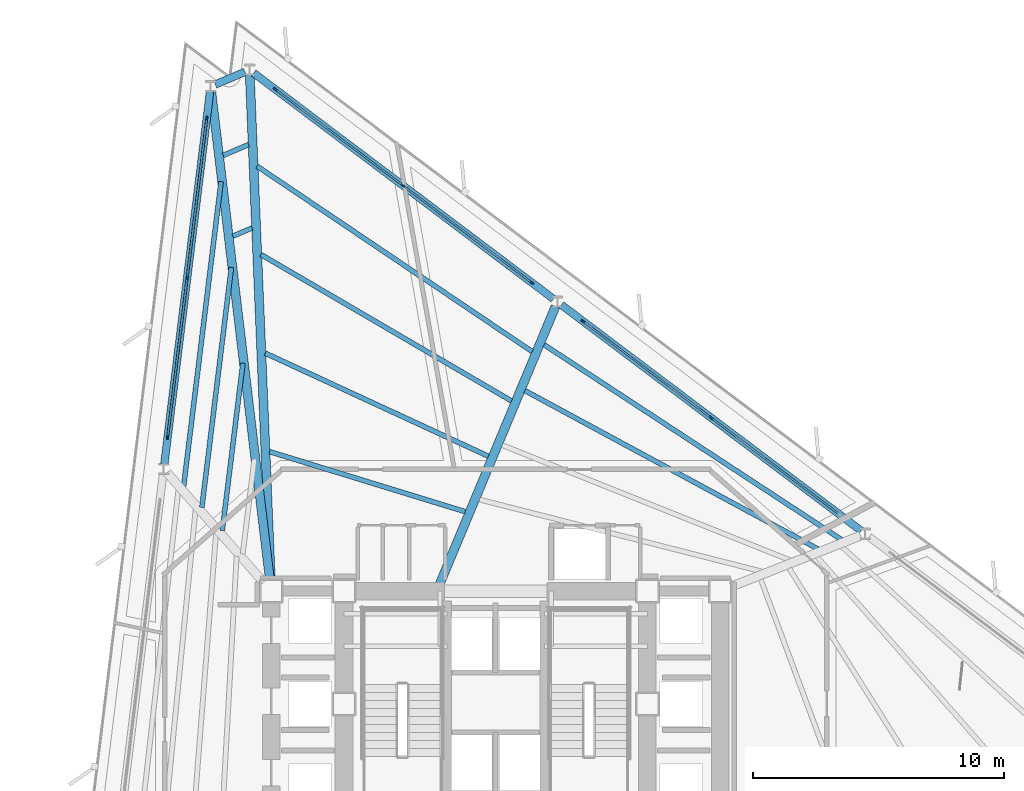
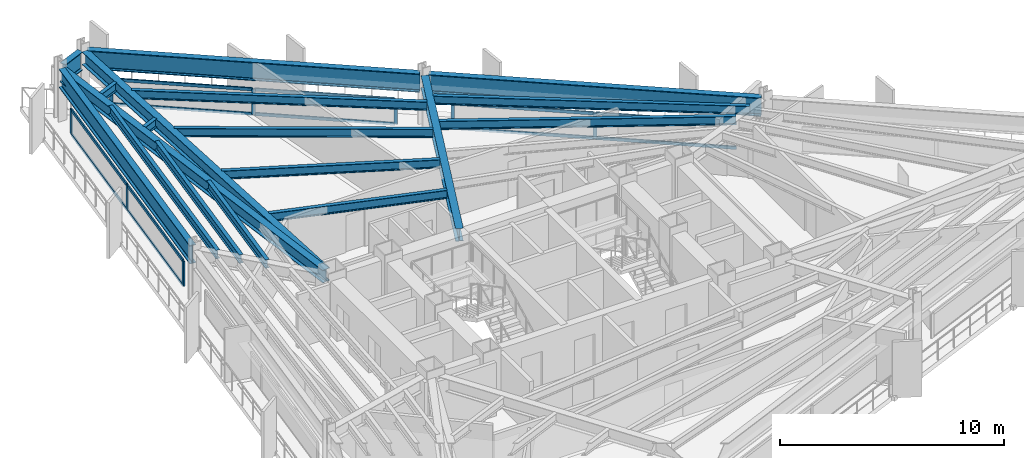
# One storey, part 5 of 13: 20 members, 18 beams, 3 elements without a shape of their own.
"""IFC4 building model written with IfcOpenShell, lengths in metres."""

from ifc_helpers import new_model, si_unit, direction, frame, origin, origin_2d, place, context, subcontext, project, spatial, rectangle, i_section, extrude, material, layer, layer_set, material_profile, profile_set, type_object, element, aggregate, save


model = new_model("IFC4")

# Units and contexts
model_context = context("Model", 3, precision=1e-05, world=origin(), true_north=direction((0.0, 1.0)))
body_context = subcontext(model_context, "Body", "Model", "MODEL_VIEW")
ifc_project = project(units=[si_unit("LENGTHUNIT", "METRE"), si_unit("AREAUNIT", "SQUARE_METRE"), si_unit("VOLUMEUNIT", "CUBIC_METRE"), si_unit("PLANEANGLEUNIT", "RADIAN"), si_unit("MASSUNIT", "GRAM", prefix="KILO")], contexts=[model_context])

# Site, building, storey
site_placement = place(None, origin())
site = spatial("IfcSite", under=ifc_project, at=site_placement, CompositionType="ELEMENT")
building_placement = place(site_placement, origin())
building = spatial("IfcBuilding", under=site, at=building_placement, Name="Rocaltana Carrier Exchange", CompositionType="ELEMENT")
storey_placement = place(building_placement, frame((0.0, 0.0, 73.1201171875)))
storey = spatial("IfcBuildingStorey", under=building, at=storey_placement, Name="L22", CompositionType="ELEMENT", Elevation=73.1201171875)

# Curtain wall, members
ifc_material_1 = material(Name="Aluminium 6063-T6", Category="aluminium")
ifc_layer = layer(ifc_material_1, 0.1650390625)
ifc_layer_set = layer_set([ifc_layer], Name="Aluminium 6063-T6")
curtain_wall_type = type_object("IfcCurtainWallType", Name="Lower-Mid Stepped Curtain Wall CW-02", PredefinedType="NOTDEFINED", material=ifc_layer_set)
curtain_wall_1_placement = place(storey_placement, origin())
curtain_wall_1 = element("IfcCurtainWall", 1, at=curtain_wall_1_placement, inside=storey, type_object=curtain_wall_type, Name="L22 CW-02 Run CW-L22-F1S2", PredefinedType="NOTDEFINED")
ifc_material_2 = material(Name="Aluminium 6063-T6", Category="aluminium")
ifc_material_profile_1 = material_profile(ifc_material_2, rectangle(XDim=0.06494140625, YDim=0.1650390625, at=origin_2d()), Name="AL-65X165")
ifc_profile_set_1 = profile_set([ifc_material_profile_1], Name="Aluminium 6063-T6")
member_type_1 = type_object("IfcMemberType", Name="CW-02 Mullion AL-65X165", PredefinedType="MULLION", material=ifc_profile_set_1)
member_1_placement = place(storey_placement, frame((8.59423828125, 11.405029296875, 0.0), z_axis=(0.0, 0.0, 1.0), x_axis=(-0.601815253533, -0.798635336443, 0.0)))
member_1 = element("IfcMember", 2, at=member_1_placement, type_object=member_type_1, Name="CW-02 mullion 2", PredefinedType="MULLION", context=body_context, shape_type="SweptSolid", body=[
    extrude(rectangle(XDim=0.06494140625, YDim=0.1650390625, at=origin_2d()), origin(), (0.0, 0.0, 1.0), 1.39794921875),
])
member_2_placement = place(storey_placement, frame((3.482421875, 15.257080078125, 0.0), z_axis=(0.0, 0.0, 1.0), x_axis=(-0.601815253533, -0.798635336443, 0.0)))
member_2 = element("IfcMember", 3, at=member_2_placement, type_object=member_type_1, Name="CW-02 mullion 3", PredefinedType="MULLION", context=body_context, shape_type="SweptSolid", body=[
    extrude(rectangle(XDim=0.06494140625, YDim=0.1650390625, at=origin_2d()), origin(), (0.0, 0.0, 1.0), 1.39794921875),
])

curtain_wall_2_placement = place(storey_placement, origin())
curtain_wall_2 = element("IfcCurtainWall", 4, at=curtain_wall_2_placement, inside=storey, type_object=curtain_wall_type, Name="L22 CW-02 Run CW-L22-F1S3", PredefinedType="NOTDEFINED")
member_3_placement = place(storey_placement, frame((1.433837890625, 16.80078125, 0.0), z_axis=(0.0, 0.0, 1.0), x_axis=(-0.601811518049, -0.79863815132, 0.0)))
member_3 = element("IfcMember", 5, at=member_3_placement, type_object=member_type_1, Name="CW-02 mullion 1", PredefinedType="MULLION", context=body_context, shape_type="SweptSolid", body=[
    extrude(rectangle(XDim=0.06494140625, YDim=0.1650390625, at=origin_2d()), origin(), (0.0, 0.0, 1.0), 1.39794921875),
])
member_4_placement = place(storey_placement, frame((-3.677978515625, 20.65283203125, 0.0), z_axis=(0.0, 0.0, 1.0), x_axis=(-0.601811518049, -0.79863815132, 0.0)))
member_4 = element("IfcMember", 6, at=member_4_placement, type_object=member_type_1, Name="CW-02 mullion 2", PredefinedType="MULLION", context=body_context, shape_type="SweptSolid", body=[
    extrude(rectangle(XDim=0.06494140625, YDim=0.1650390625, at=origin_2d()), origin(), (0.0, 0.0, 1.0), 1.39794921875),
])
member_5_placement = place(storey_placement, frame((-8.7900390625, 24.505126953125, 0.0), z_axis=(0.0, 0.0, 1.0), x_axis=(-0.601811518049, -0.79863815132, 0.0)))
member_5 = element("IfcMember", 7, at=member_5_placement, type_object=member_type_1, Name="CW-02 mullion 3", PredefinedType="MULLION", context=body_context, shape_type="SweptSolid", body=[
    extrude(rectangle(XDim=0.06494140625, YDim=0.1650390625, at=origin_2d()), origin(), (0.0, 0.0, 1.0), 1.39794921875),
])

curtain_wall_3_placement = place(storey_placement, origin())
curtain_wall_3 = element("IfcCurtainWall", 8, at=curtain_wall_3_placement, inside=storey, type_object=curtain_wall_type, Name="L22 CW-02 Run CW-L22-F2S1", PredefinedType="NOTDEFINED")
member_6_placement = place(storey_placement, frame((-11.521484375, 23.345703125, 0.0), z_axis=(0.0, 0.0, 1.0), x_axis=(0.992545748051, -0.121872630343, 0.0)))
member_6 = element("IfcMember", 9, at=member_6_placement, type_object=member_type_1, Name="CW-02 mullion 1", PredefinedType="MULLION", context=body_context, shape_type="SweptSolid", body=[
    extrude(rectangle(XDim=0.06494140625, YDim=0.1650390625, at=origin_2d()), origin(), (0.0, 0.0, 1.0), 1.39794921875),
])
member_7_placement = place(storey_placement, frame((-12.301513671875, 16.992431640625, 0.0), z_axis=(0.0, 0.0, 1.0), x_axis=(0.992545748051, -0.121872630343, 0.0)))
member_7 = element("IfcMember", 10, at=member_7_placement, type_object=member_type_1, Name="CW-02 mullion 2", PredefinedType="MULLION", context=body_context, shape_type="SweptSolid", body=[
    extrude(rectangle(XDim=0.06494140625, YDim=0.1650390625, at=origin_2d()), origin(), (0.0, 0.0, 1.0), 1.39794921875),
])
member_8_placement = place(storey_placement, frame((-13.08154296875, 10.639404296875, 0.0), z_axis=(0.0, 0.0, 1.0), x_axis=(0.992545748051, -0.121872630343, 0.0)))
member_8 = element("IfcMember", 11, at=member_8_placement, type_object=member_type_1, Name="CW-02 mullion 3", PredefinedType="MULLION", context=body_context, shape_type="SweptSolid", body=[
    extrude(rectangle(XDim=0.06494140625, YDim=0.1650390625, at=origin_2d()), origin(), (0.0, 0.0, 1.0), 1.39794921875),
])

# Member
ifc_material_3 = material(Name="Aluminium 6063-T6", Category="aluminium")
ifc_material_profile_2 = material_profile(ifc_material_3, rectangle(XDim=0.06494140625, YDim=0.1650390625, at=origin_2d()), Name="AL-65X165")
ifc_profile_set_2 = profile_set([ifc_material_profile_2], Name="Aluminium 6063-T6")
member_type_2 = type_object("IfcMemberType", Name="CW-02 Transom AL-65X165", PredefinedType="USERDEFINED", material=ifc_profile_set_2)
member_9_placement = place(storey_placement, frame((13.68017578125, 7.572509765625, 0.032470703125), z_axis=(-0.798624539829, 0.601829580847, 0.0), x_axis=(-0.601829580847, -0.798624539829, 0.0)))
member_9 = element("IfcMember", 12, at=member_9_placement, type_object=member_type_2, Name="CW-02 transom 1.1", ObjectType="TRANSOM", PredefinedType="USERDEFINED", context=body_context, shape_type="SweptSolid", body=[
    extrude(rectangle(XDim=0.06494140625, YDim=0.1650390625, at=origin_2d()), origin(), (0.0, 0.0, 1.0), 6.335693359375),
])

member_10_placement = place(storey_placement, frame((13.68017578125, 7.572509765625, 1.365478515625), z_axis=(-0.798624539829, 0.601829580847, 0.0), x_axis=(-0.601829580847, -0.798624539829, 0.0)))
member_10 = element("IfcMember", 13, at=member_10_placement, type_object=member_type_2, Name="CW-02 transom 1.2", ObjectType="TRANSOM", PredefinedType="USERDEFINED", context=body_context, shape_type="SweptSolid", body=[
    extrude(rectangle(XDim=0.06494140625, YDim=0.1650390625, at=origin_2d()), origin(), (0.0, 0.0, 1.0), 6.335693359375),
])

member_11_placement = place(storey_placement, frame((8.568359375, 11.424560546875, 0.032470703125), z_axis=(-0.798638496284, 0.601811060261, 0.0), x_axis=(-0.601811060261, -0.798638496284, 0.0)))
member_11 = element("IfcMember", 14, at=member_11_placement, type_object=member_type_2, Name="CW-02 transom 2.1", ObjectType="TRANSOM", PredefinedType="USERDEFINED", context=body_context, shape_type="SweptSolid", body=[
    extrude(rectangle(XDim=0.06494140625, YDim=0.1650390625, at=origin_2d()), origin(), (0.0, 0.0, 1.0), 6.3359375),
])

member_12_placement = place(storey_placement, frame((8.568359375, 11.424560546875, 1.365478515625), z_axis=(-0.798638496284, 0.601811060261, 0.0), x_axis=(-0.601811060261, -0.798638496284, 0.0)))
member_12 = element("IfcMember", 15, at=member_12_placement, type_object=member_type_2, Name="CW-02 transom 2.2", ObjectType="TRANSOM", PredefinedType="USERDEFINED", context=body_context, shape_type="SweptSolid", body=[
    extrude(rectangle(XDim=0.06494140625, YDim=0.1650390625, at=origin_2d()), origin(), (0.0, 0.0, 1.0), 6.3359375),
])

aggregate(curtain_wall_1, [member_1, member_2, member_9, member_10, member_11, member_12])

member_13_placement = place(storey_placement, frame((1.407958984375, 16.8203125, 0.032470703125), z_axis=(-0.798638496284, 0.601811060261, 0.0), x_axis=(-0.601811060261, -0.798638496284, 0.0)))
member_13 = element("IfcMember", 16, at=member_13_placement, type_object=member_type_2, Name="CW-02 transom 1.1", ObjectType="TRANSOM", PredefinedType="USERDEFINED", context=body_context, shape_type="SweptSolid", body=[
    extrude(rectangle(XDim=0.06494140625, YDim=0.1650390625, at=origin_2d()), origin(), (0.0, 0.0, 1.0), 6.3359375),
])

member_14_placement = place(storey_placement, frame((1.407958984375, 16.8203125, 1.365478515625), z_axis=(-0.798638496284, 0.601811060261, 0.0), x_axis=(-0.601811060261, -0.798638496284, 0.0)))
member_14 = element("IfcMember", 17, at=member_14_placement, type_object=member_type_2, Name="CW-02 transom 1.2", ObjectType="TRANSOM", PredefinedType="USERDEFINED", context=body_context, shape_type="SweptSolid", body=[
    extrude(rectangle(XDim=0.06494140625, YDim=0.1650390625, at=origin_2d()), origin(), (0.0, 0.0, 1.0), 6.3359375),
])

member_15_placement = place(storey_placement, frame((-3.703857421875, 20.672607421875, 0.032470703125), z_axis=(-0.798638496284, 0.601811060261, 0.0), x_axis=(-0.601811060261, -0.798638496284, 0.0)))
member_15 = element("IfcMember", 18, at=member_15_placement, type_object=member_type_2, Name="CW-02 transom 2.1", ObjectType="TRANSOM", PredefinedType="USERDEFINED", context=body_context, shape_type="SweptSolid", body=[
    extrude(rectangle(XDim=0.06494140625, YDim=0.1650390625, at=origin_2d()), origin(), (0.0, 0.0, 1.0), 6.3359375),
])

member_16_placement = place(storey_placement, frame((-3.703857421875, 20.672607421875, 1.365478515625), z_axis=(-0.798638496284, 0.601811060261, 0.0), x_axis=(-0.601811060261, -0.798638496284, 0.0)))
member_16 = element("IfcMember", 19, at=member_16_placement, type_object=member_type_2, Name="CW-02 transom 2.2", ObjectType="TRANSOM", PredefinedType="USERDEFINED", context=body_context, shape_type="SweptSolid", body=[
    extrude(rectangle(XDim=0.06494140625, YDim=0.1650390625, at=origin_2d()), origin(), (0.0, 0.0, 1.0), 6.3359375),
])

aggregate(curtain_wall_2, [member_3, member_4, member_5, member_13, member_14, member_15, member_16])

member_17_placement = place(storey_placement, frame((-11.525390625, 23.3134765625, 0.032470703125), z_axis=(-0.12187665048, -0.992545254418, 0.0), x_axis=(0.992545254418, -0.12187665048, 0.0)))
member_17 = element("IfcMember", 20, at=member_17_placement, type_object=member_type_2, Name="CW-02 transom 1.1", ObjectType="TRANSOM", PredefinedType="USERDEFINED", context=body_context, shape_type="SweptSolid", body=[
    extrude(rectangle(XDim=0.06494140625, YDim=0.1650390625, at=origin_2d()), origin(), (0.0, 0.0, 1.0), 6.3359375),
])

member_18_placement = place(storey_placement, frame((-11.525390625, 23.3134765625, 1.365478515625), z_axis=(-0.12187665048, -0.992545254418, 0.0), x_axis=(0.992545254418, -0.12187665048, 0.0)))
member_18 = element("IfcMember", 21, at=member_18_placement, type_object=member_type_2, Name="CW-02 transom 1.2", ObjectType="TRANSOM", PredefinedType="USERDEFINED", context=body_context, shape_type="SweptSolid", body=[
    extrude(rectangle(XDim=0.06494140625, YDim=0.1650390625, at=origin_2d()), origin(), (0.0, 0.0, 1.0), 6.3359375),
])

member_19_placement = place(storey_placement, frame((-12.305419921875, 16.960205078125, 0.032470703125), z_axis=(-0.121881311797, -0.992544682034, 0.0), x_axis=(0.992544682034, -0.121881311797, 0.0)))
member_19 = element("IfcMember", 22, at=member_19_placement, type_object=member_type_2, Name="CW-02 transom 2.1", ObjectType="TRANSOM", PredefinedType="USERDEFINED", context=body_context, shape_type="SweptSolid", body=[
    extrude(rectangle(XDim=0.06494140625, YDim=0.1650390625, at=origin_2d()), origin(), (0.0, 0.0, 1.0), 6.335693359375),
])

member_20_placement = place(storey_placement, frame((-12.305419921875, 16.960205078125, 1.365478515625), z_axis=(-0.121881311797, -0.992544682034, 0.0), x_axis=(0.992544682034, -0.121881311797, 0.0)))
member_20 = element("IfcMember", 23, at=member_20_placement, type_object=member_type_2, Name="CW-02 transom 2.2", ObjectType="TRANSOM", PredefinedType="USERDEFINED", context=body_context, shape_type="SweptSolid", body=[
    extrude(rectangle(XDim=0.06494140625, YDim=0.1650390625, at=origin_2d()), origin(), (0.0, 0.0, 1.0), 6.335693359375),
])

aggregate(curtain_wall_3, [member_6, member_7, member_8, member_17, member_18, member_19, member_20])

# Beams
ifc_material_4 = material(Name="Steel S355", Category="steel")
ifc_material_profile_3 = material_profile(ifc_material_4, i_section(OverallWidth=0.193115234375, OverallDepth=0.466064453125, WebThickness=0.011474609375, FlangeThickness=0.01904296875, FilletRadius=0.013916015625, at=origin_2d()), Name="W18X65")
ifc_profile_set_3 = profile_set([ifc_material_profile_3], Name="Steel S355")
beam_type_1 = type_object("IfcBeamType", Name="Floor Joist W18X65", PredefinedType="JOIST", material=ifc_profile_set_3)
beam_1_placement = place(storey_placement, frame((12.845458984375, 6.17822265625, 2.704833984375), z_axis=(-0.879782188298, 0.475377009493, 0.0), x_axis=(-0.475377009493, -0.879782188298, 0.0)))
element("IfcBeam", 24, at=beam_1_placement, inside=storey, type_object=beam_type_1, Name="FJ-L22-02-3", PredefinedType="JOIST", context=body_context, shape_type="SweptSolid", body=[
    extrude(i_section(OverallWidth=0.193115234375, OverallDepth=0.466064453125, WebThickness=0.011474609375, FlangeThickness=0.01904296875, FilletRadius=0.013916015625, at=origin_2d()), origin(), (0.0, 0.0, 1.0), 13.27490234375),
])
beam_2_placement = place(storey_placement, frame((13.77783203125, 6.5556640625, 2.704833984375), z_axis=(-0.836404193047, 0.548113150593, 0.0), x_axis=(-0.548113150593, -0.836404193047, 0.0)))
element("IfcBeam", 25, at=beam_2_placement, inside=storey, type_object=beam_type_1, Name="FJ-L22-02-4", PredefinedType="JOIST", context=body_context, shape_type="SweptSolid", body=[
    extrude(i_section(OverallWidth=0.193115234375, OverallDepth=0.466064453125, WebThickness=0.011474609375, FlangeThickness=0.01904296875, FilletRadius=0.013916015625, at=origin_2d()), origin(), (0.0, 0.0, 1.0), 14.1669921875),
])
beam_3_placement = place(storey_placement, frame((-1.2158203125, 7.6630859375, 2.704833984375), z_axis=(-0.955945046832, 0.293545682028, 0.0), x_axis=(-0.293545682028, -0.955945046832, 0.0)))
element("IfcBeam", 26, at=beam_3_placement, inside=storey, type_object=beam_type_1, Name="FJ-L22-03-1", PredefinedType="JOIST", context=body_context, shape_type="SweptSolid", body=[
    extrude(i_section(OverallWidth=0.193115234375, OverallDepth=0.466064453125, WebThickness=0.011474609375, FlangeThickness=0.01904296875, FilletRadius=0.013916015625, at=origin_2d()), origin(), (0.0, 0.0, 1.0), 8.1630859375),
])
beam_4_placement = place(storey_placement, frame((-0.2939453125, 9.875244140625, 2.704833984375), z_axis=(-0.907819359588, 0.419361431653, 0.0), x_axis=(-0.419361431653, -0.907819359588, 0.0)))
element("IfcBeam", 27, at=beam_4_placement, inside=storey, type_object=beam_type_1, Name="FJ-L22-03-2", PredefinedType="JOIST", context=body_context, shape_type="SweptSolid", body=[
    extrude(i_section(OverallWidth=0.193115234375, OverallDepth=0.466064453125, WebThickness=0.011474609375, FlangeThickness=0.01904296875, FilletRadius=0.013916015625, at=origin_2d()), origin(), (0.0, 0.0, 1.0), 9.801513671875),
])
beam_5_placement = place(storey_placement, frame((0.627197265625, 12.080322265625, 2.704833984375), z_axis=(-0.863399873856, 0.504520225387, 0.0), x_axis=(-0.504520225387, -0.863399873856, 0.0)))
element("IfcBeam", 28, at=beam_5_placement, inside=storey, type_object=beam_type_1, Name="FJ-L22-03-3", PredefinedType="JOIST", context=body_context, shape_type="SweptSolid", body=[
    extrude(i_section(OverallWidth=0.193115234375, OverallDepth=0.466064453125, WebThickness=0.011474609375, FlangeThickness=0.01904296875, FilletRadius=0.013916015625, at=origin_2d()), origin(), (0.0, 0.0, 1.0), 11.57177734375),
])
beam_6_placement = place(storey_placement, frame((1.450439453125, 14.049560546875, 2.704833984375), z_axis=(-0.829233693301, 0.558902032466, 0.0), x_axis=(-0.558902032466, -0.829233693301, 0.0)))
element("IfcBeam", 29, at=beam_6_placement, inside=storey, type_object=beam_type_1, Name="FJ-L22-03-4", PredefinedType="JOIST", context=body_context, shape_type="SweptSolid", body=[
    extrude(i_section(OverallWidth=0.193115234375, OverallDepth=0.466064453125, WebThickness=0.011474609375, FlangeThickness=0.01904296875, FilletRadius=0.013916015625, at=origin_2d()), origin(), (0.0, 0.0, 1.0), 13.22509765625),
])
beam_7_placement = place(storey_placement, frame((-9.712890625, 18.976806640625, 2.704833984375), z_axis=(-0.92048318346, -0.390782175857, 0.0), x_axis=(0.390782175857, -0.92048318346, 0.0)))
element("IfcBeam", 30, at=beam_7_placement, inside=storey, type_object=beam_type_1, Name="FJ-L22-04-3", PredefinedType="JOIST", context=body_context, shape_type="SweptSolid", body=[
    extrude(i_section(OverallWidth=0.193115234375, OverallDepth=0.466064453125, WebThickness=0.011474609375, FlangeThickness=0.01904296875, FilletRadius=0.013916015625, at=origin_2d()), origin(), (0.0, 0.0, 1.0), 0.83642578125),
])
beam_8_placement = place(storey_placement, frame((-9.85107421875, 22.301025390625, 2.704833984375), z_axis=(-0.920509615817, -0.390719908872, 0.0), x_axis=(0.390719908872, -0.920509615817, 0.0)))
element("IfcBeam", 31, at=beam_8_placement, inside=storey, type_object=beam_type_1, Name="FJ-L22-04-4", PredefinedType="JOIST", context=body_context, shape_type="SweptSolid", body=[
    extrude(i_section(OverallWidth=0.193115234375, OverallDepth=0.466064453125, WebThickness=0.011474609375, FlangeThickness=0.01904296875, FilletRadius=0.013916015625, at=origin_2d()), origin(), (0.0, 0.0, 1.0), 1.10595703125),
])
beam_9_placement = place(storey_placement, frame((-10.081787109375, 13.584228515625, 2.704833984375), z_axis=(-0.121894438401, -0.992543070041, 0.0), x_axis=(0.992543070041, -0.121894438401, 0.0)))
element("IfcBeam", 32, at=beam_9_placement, inside=storey, type_object=beam_type_1, Name="FJ-L22-05-2", PredefinedType="JOIST", context=body_context, shape_type="SweptSolid", body=[
    extrude(i_section(OverallWidth=0.193115234375, OverallDepth=0.466064453125, WebThickness=0.011474609375, FlangeThickness=0.01904296875, FilletRadius=0.013916015625, at=origin_2d()), origin(), (0.0, 0.0, 1.0), 6.7255859375),
])
beam_10_placement = place(storey_placement, frame((-10.540771484375, 17.406982421875, 2.704833984375), z_axis=(-0.121875552726, -0.992545389213, 0.0), x_axis=(0.992545389213, -0.121875552726, 0.0)))
element("IfcBeam", 33, at=beam_10_placement, inside=storey, type_object=beam_type_1, Name="FJ-L22-05-3", PredefinedType="JOIST", context=body_context, shape_type="SweptSolid", body=[
    extrude(i_section(OverallWidth=0.193115234375, OverallDepth=0.466064453125, WebThickness=0.011474609375, FlangeThickness=0.01904296875, FilletRadius=0.013916015625, at=origin_2d()), origin(), (0.0, 0.0, 1.0), 9.6455078125),
])
beam_11_placement = place(storey_placement, frame((-10.951416015625, 20.826904296875, 2.704833984375), z_axis=(-0.121874778131, -0.992545484326, 0.0), x_axis=(0.992545484326, -0.121874778131, 0.0)))
element("IfcBeam", 34, at=beam_11_placement, inside=storey, type_object=beam_type_1, Name="FJ-L22-05-4", PredefinedType="JOIST", context=body_context, shape_type="SweptSolid", body=[
    extrude(i_section(OverallWidth=0.193115234375, OverallDepth=0.466064453125, WebThickness=0.011474609375, FlangeThickness=0.01904296875, FilletRadius=0.013916015625, at=origin_2d()), origin(), (0.0, 0.0, 1.0), 12.257568359375),
])
ifc_material_5 = material(Name="Steel S355", Category="steel")
ifc_material_profile_4 = material_profile(ifc_material_5, i_section(OverallWidth=0.35498046875, OverallDepth=0.695068359375, WebThickness=0.015380859375, FlangeThickness=0.02490234375, FilletRadius=0.01806640625, at=origin_2d()), Name="W27X146")
ifc_profile_set_4 = profile_set([ifc_material_profile_4], Name="Steel S355")
beam_type_2 = type_object("IfcBeamType", Name="Radial Girder W27X146", PredefinedType="BEAM", material=ifc_profile_set_4)
beam_12_placement = place(storey_placement, frame((-2.2568359375, 4.723388671875, 2.59033203125), z_axis=(0.384920391232, 0.922949777839, 0.0), x_axis=(-0.922949777839, 0.384920391232, 0.0)))
element("IfcBeam", 35, at=beam_12_placement, inside=storey, type_object=beam_type_2, Name="RG-L22-03", PredefinedType="BEAM", context=body_context, shape_type="SweptSolid", body=[
    extrude(i_section(OverallWidth=0.35498046875, OverallDepth=0.695068359375, WebThickness=0.015380859375, FlangeThickness=0.02490234375, FilletRadius=0.01806640625, at=origin_2d()), origin(), (0.0, 0.0, 1.0), 12.04833984375),
])
beam_13_placement = place(storey_placement, frame((-8.969482421875, 4.966552734375, 2.59033203125), z_axis=(-0.041557386184, 0.999136118681, 0.0), x_axis=(-0.999136118681, -0.041557386184, 0.0)))
element("IfcBeam", 36, at=beam_13_placement, inside=storey, type_object=beam_type_2, Name="RG-L22-04", PredefinedType="BEAM", context=body_context, shape_type="SweptSolid", body=[
    extrude(i_section(OverallWidth=0.35498046875, OverallDepth=0.695068359375, WebThickness=0.015380859375, FlangeThickness=0.02490234375, FilletRadius=0.01806640625, at=origin_2d()), origin(), (0.0, 0.0, 1.0), 20.126953125),
])
beam_14_placement = place(storey_placement, frame((-9.005615234375, 4.963623046875, 2.59033203125), z_axis=(-0.119198280629, 0.992870469847, 0.0), x_axis=(-0.992870469847, -0.119198280629, 0.0)))
element("IfcBeam", 37, at=beam_14_placement, inside=storey, type_object=beam_type_2, Name="RG-L22-05", PredefinedType="BEAM", context=body_context, shape_type="SweptSolid", body=[
    extrude(i_section(OverallWidth=0.35498046875, OverallDepth=0.695068359375, WebThickness=0.015380859375, FlangeThickness=0.02490234375, FilletRadius=0.01806640625, at=origin_2d()), origin(), (0.0, 0.0, 1.0), 19.594970703125),
])
ifc_material_6 = material(Name="Steel S460", Category="steel")
ifc_material_profile_5 = material_profile(ifc_material_6, i_section(OverallWidth=0.302001953125, OverallDepth=1.008056640625, WebThickness=0.02099609375, FlangeThickness=0.0400390625, FilletRadius=0.030029296875, at=origin_2d()), Name="HEM1000")
ifc_profile_set_5 = profile_set([ifc_material_profile_5], Name="Steel S460")
beam_type_3 = type_object("IfcBeamType", Name="Transfer Ring Girder HEM1000", PredefinedType="USERDEFINED", material=ifc_profile_set_5)
beam_15_placement = place(storey_placement, frame((14.570068359375, 6.902099609375, 2.433837890625), z_axis=(-0.7986412452, 0.601807412272, 0.0), x_axis=(-0.601807412272, -0.7986412452, 0.0)))
element("IfcBeam", 38, at=beam_15_placement, inside=storey, type_object=beam_type_3, Name="SP-L22-02", ObjectType="TRANSFER GIRDER", PredefinedType="USERDEFINED", context=body_context, shape_type="SweptSolid", body=[
    extrude(i_section(OverallWidth=0.302001953125, OverallDepth=1.008056640625, WebThickness=0.02099609375, FlangeThickness=0.0400390625, FilletRadius=0.030029296875, at=origin_2d()), origin(), (0.0, 0.0, 1.0), 14.964599609375),
])
beam_16_placement = place(storey_placement, frame((2.297607421875, 16.14990234375, 2.433837890625), z_axis=(-0.798633404024, 0.601817817929, 0.0), x_axis=(-0.601817817929, -0.798633404024, 0.0)))
element("IfcBeam", 39, at=beam_16_placement, inside=storey, type_object=beam_type_3, Name="SP-L22-03", ObjectType="TRANSFER GIRDER", PredefinedType="USERDEFINED", context=body_context, shape_type="SweptSolid", body=[
    extrude(i_section(OverallWidth=0.302001953125, OverallDepth=1.008056640625, WebThickness=0.02099609375, FlangeThickness=0.0400390625, FilletRadius=0.030029296875, at=origin_2d()), origin(), (0.0, 0.0, 1.0), 14.96484375),
])
beam_17_placement = place(storey_placement, frame((-9.999267578125, 25.198486328125, 2.433837890625), z_axis=(-0.920449041694, -0.390862586653, 0.0), x_axis=(0.390862586653, -0.920449041694, 0.0)))
element("IfcBeam", 40, at=beam_17_placement, inside=storey, type_object=beam_type_3, Name="SP-L22-04", ObjectType="TRANSFER GIRDER", PredefinedType="USERDEFINED", context=body_context, shape_type="SweptSolid", body=[
    extrude(i_section(OverallWidth=0.302001953125, OverallDepth=1.008056640625, WebThickness=0.02099609375, FlangeThickness=0.0400390625, FilletRadius=0.030029296875, at=origin_2d()), origin(), (0.0, 0.0, 1.0), 1.282958984375),
])
beam_18_placement = place(storey_placement, frame((-11.3896484375, 24.419189453125, 2.433837890625), z_axis=(-0.121867898519, -0.99254632905, 0.0), x_axis=(0.99254632905, -0.121867898519, 0.0)))
element("IfcBeam", 41, at=beam_18_placement, inside=storey, type_object=beam_type_3, Name="SP-L22-05", ObjectType="TRANSFER GIRDER", PredefinedType="USERDEFINED", context=body_context, shape_type="SweptSolid", body=[
    extrude(i_section(OverallWidth=0.302001953125, OverallDepth=1.008056640625, WebThickness=0.02099609375, FlangeThickness=0.0400390625, FilletRadius=0.030029296875, at=origin_2d()), origin(), (0.0, 0.0, 1.0), 14.96484375),
])

save(model, "model.ifc")
